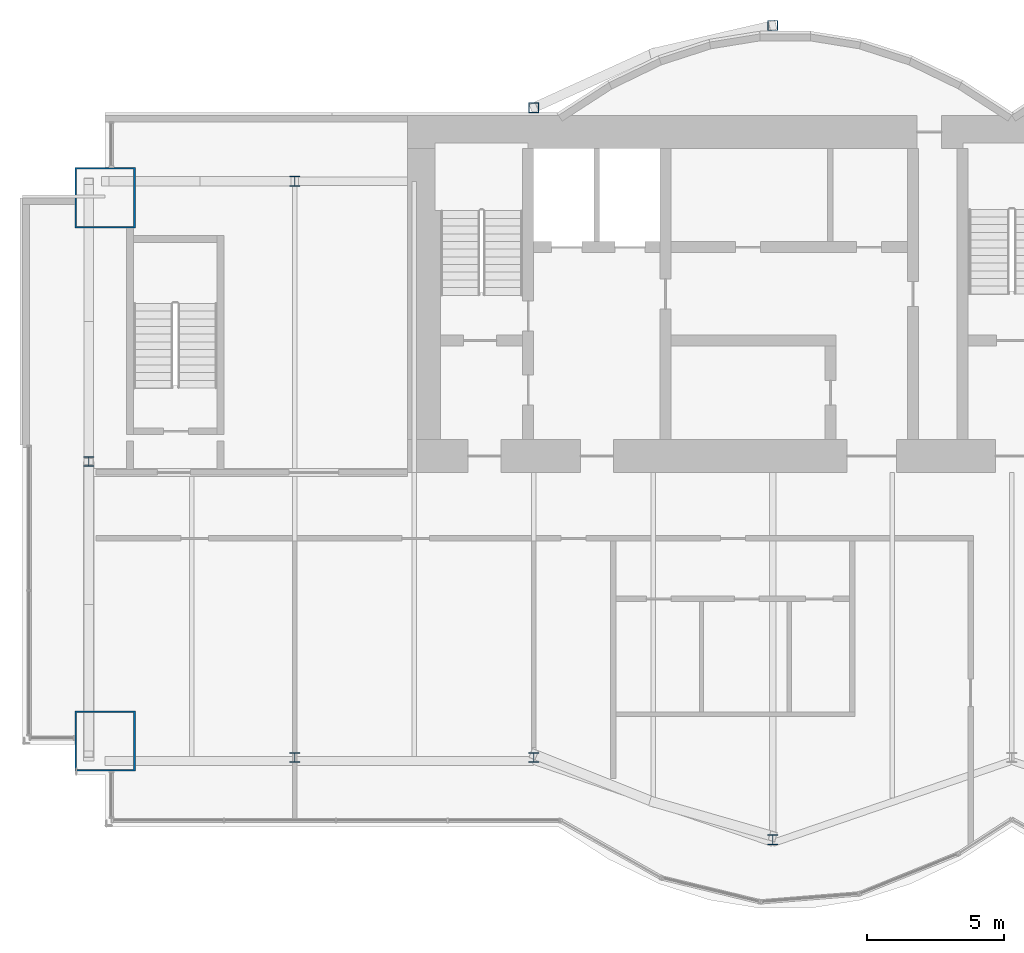
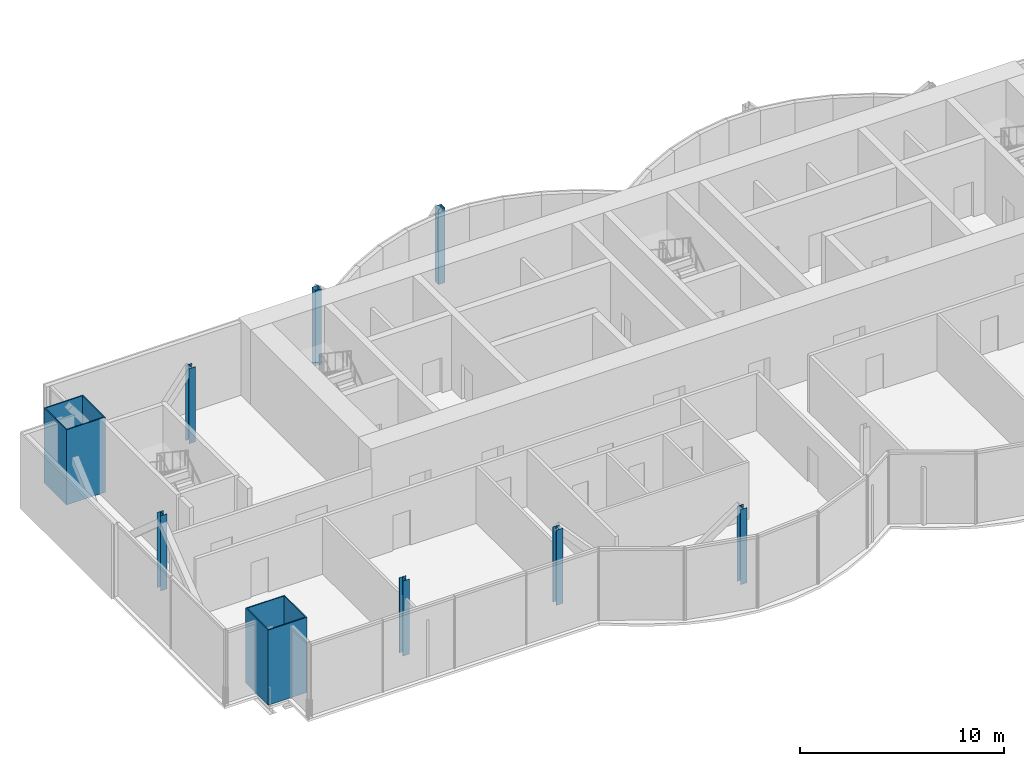
# One storey, part 1 of 17: 9 columns.
"""IFC4 building model written with IfcOpenShell, lengths in metres."""

from ifc_helpers import new_model, si_unit, direction, frame, origin, origin_2d, place, context, subcontext, project, spatial, hollow_rectangle, i_section, extrude, material, material_profile, profile_set, type_object, element, save


model = new_model("IFC4")

# Units and contexts
model_context = context("Model", 3, precision=1e-05, world=origin(), true_north=direction((0.0, 1.0)))
body_context = subcontext(model_context, "Body", "Model", "MODEL_VIEW")
ifc_project = project(units=[si_unit("LENGTHUNIT", "METRE"), si_unit("AREAUNIT", "SQUARE_METRE"), si_unit("VOLUMEUNIT", "CUBIC_METRE"), si_unit("PLANEANGLEUNIT", "RADIAN"), si_unit("MASSUNIT", "GRAM", prefix="KILO")], contexts=[model_context])

# Site, building, storey
site_placement = place(None, origin())
site = spatial("IfcSite", under=ifc_project, at=site_placement, CompositionType="ELEMENT")
building_placement = place(site_placement, origin())
building = spatial("IfcBuilding", under=site, at=building_placement, Name="Bicima Exchange Tower", CompositionType="ELEMENT")
storey_placement = place(building_placement, frame((0.0, 0.0, 320.0)))
storey = spatial("IfcBuildingStorey", under=building, at=storey_placement, Name="L72", CompositionType="ELEMENT", Elevation=320.0)

# Columns
ifc_material_1 = material(Name="Steel ASTM A572 Gr 50", Category="steel")
ifc_material_profile_1 = material_profile(ifc_material_1, hollow_rectangle(XDim=2.199951171875, YDim=2.199951171875, WallThickness=0.06005859375, at=origin_2d()))
ifc_profile_set_1 = profile_set([ifc_material_profile_1], Name="Steel ASTM A572 Gr 50")
column_type_1 = type_object("IfcColumnType", Name="Mega column BOX 2200x2200x60", PredefinedType="COLUMN", material=ifc_profile_set_1)
for number, where, z_axis, x_axis, name in (
    (1, (-33.0, -22.77392578125, 0.0), (0.0, 0.0, 1.0), (1.0, 0.0, 0.0), "Mega column mega-33.0f"),
    (2, (-33.0, -3.0, 0.0), (0.0, 0.0, 1.0), (1.0, 0.0, 0.0), "Mega column mega-33.0r"),
):
    element("IfcColumn", number, at=place(storey_placement, frame(where, z_axis=z_axis, x_axis=x_axis)), inside=storey, type_object=column_type_1, Name=name, PredefinedType="COLUMN", context=body_context, shape_type="SweptSolid", body=[
        extrude(hollow_rectangle(XDim=2.199951171875, YDim=2.199951171875, WallThickness=0.06005859375, at=origin_2d()), origin(), (0.0, 0.0, 1.0), 4.5),
    ])
ifc_material_2 = material(Name="Steel ASTM A992 Gr 50", Category="steel")
ifc_material_profile_2 = material_profile(ifc_material_2, i_section(OverallWidth=0.368408203125, OverallDepth=0.355712890625, WebThickness=0.01123046875, FlangeThickness=0.01806640625, at=origin_2d()))
ifc_profile_set_2 = profile_set([ifc_material_profile_2], Name="Steel ASTM A992 Gr 50")
column_type_2 = type_object("IfcColumnType", Name="Perimeter column W14x90", PredefinedType="COLUMN", material=ifc_profile_set_2)
for number, where, z_axis, x_axis, name in (
    (3, (-26.10009765625, -23.3740234375, 0.0), (0.0, 0.0, 1.0), (1.0, 0.0, 0.0), "Perimeter column grav-26.1f"),
    (4, (-26.10009765625, -2.39990234375, 0.0), (0.0, 0.0, 1.0), (1.0, 0.0, 0.0), "Perimeter column grav-26.1r"),
    (5, (-17.39990234375, -23.3740234375, 0.0), (0.0, 0.0, 1.0), (1.0, 0.0, 0.0), "Perimeter column grav-17.4f"),
    (6, (-8.699951171875, -26.364990234375, 0.0), (0.0, 0.0, 1.0), (1.0, 0.0, 0.0), "Perimeter column grav-8.7f"),
    (7, (-33.60009765625, -12.60009765625, 0.0), (0.0, 0.0, 1.0), (1.0, 0.0, 0.0), "End column end-33.6e"),
):
    element("IfcColumn", number, at=place(storey_placement, frame(where, z_axis=z_axis, x_axis=x_axis)), inside=storey, type_object=column_type_2, Name=name, PredefinedType="COLUMN", context=body_context, shape_type="SweptSolid", body=[
        extrude(i_section(OverallWidth=0.368408203125, OverallDepth=0.355712890625, WebThickness=0.01123046875, FlangeThickness=0.01806640625, at=origin_2d()), origin(), (0.0, 0.0, 1.0), 4.5),
    ])
ifc_material_profile_3 = material_profile(ifc_material_1, hollow_rectangle(XDim=0.355712890625, YDim=0.355712890625, WallThickness=0.01171875, at=origin_2d()))
ifc_profile_set_3 = profile_set([ifc_material_profile_3], Name="Steel ASTM A572 Gr 50")
column_type_3 = type_object("IfcColumnType", Name="Rear pilaster HSS14x14x1/2", PredefinedType="COLUMN", material=ifc_profile_set_3)
for number, where, z_axis, x_axis, name in (
    (8, (-8.699951171875, 3.26904296875, 0.0), (0.0, 0.0, 1.0), (1.0, 0.0, 0.0), "Rear pilaster rexo-8.7r"),
    (9, (-17.39990234375, 0.278076171875, 0.0), (0.0, 0.0, 1.0), (1.0, 0.0, 0.0), "Rear pilaster rexo-17.4r"),
):
    element("IfcColumn", number, at=place(storey_placement, frame(where, z_axis=z_axis, x_axis=x_axis)), inside=storey, type_object=column_type_3, Name=name, PredefinedType="COLUMN", context=body_context, shape_type="SweptSolid", body=[
        extrude(hollow_rectangle(XDim=0.355712890625, YDim=0.355712890625, WallThickness=0.01171875, at=origin_2d()), origin(), (0.0, 0.0, 1.0), 4.5),
    ])

save(model, "model.ifc")
